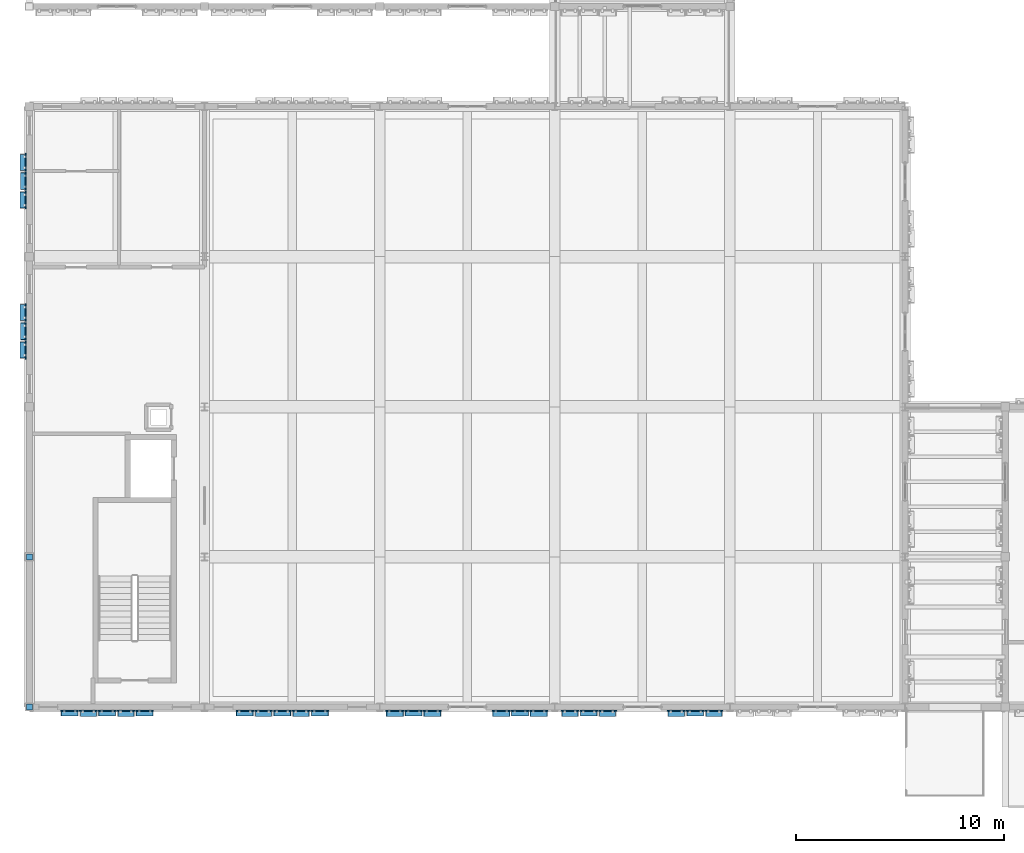
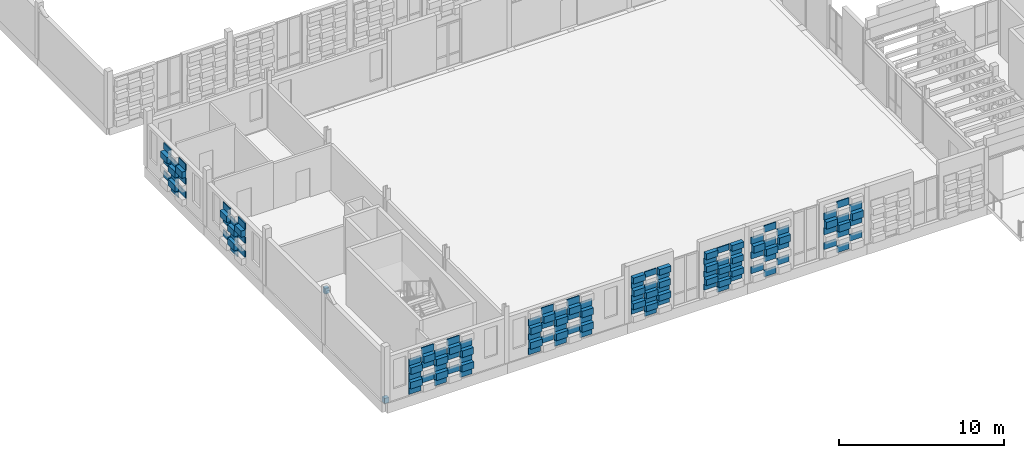
# One storey, part 55 of 99: 136 plates.
"""IFC4 building model written with IfcOpenShell, lengths in metres."""

from ifc_helpers import new_model, si_unit, direction, frame, origin, origin_2d, place, context, subcontext, project, spatial, rectangle, extrude, material, layer, layer_set, type_object, element, save


model = new_model("IFC4")

# Units and contexts
model_context = context("Model", 3, precision=1e-05, world=origin(), true_north=direction((0.0, 1.0)))
body_context = subcontext(model_context, "Body", "Model", "MODEL_VIEW")
ifc_project = project(units=[si_unit("LENGTHUNIT", "METRE"), si_unit("AREAUNIT", "SQUARE_METRE"), si_unit("VOLUMEUNIT", "CUBIC_METRE"), si_unit("PLANEANGLEUNIT", "RADIAN"), si_unit("MASSUNIT", "GRAM", prefix="KILO")], contexts=[model_context])

# Site, building, storey
site_placement = place(None, origin())
site = spatial("IfcSite", under=ifc_project, at=site_placement, CompositionType="ELEMENT")
building_placement = place(site_placement, origin())
building = spatial("IfcBuilding", under=site, at=building_placement, Name="Kahlenmark Community Centre", CompositionType="ELEMENT")
storey_placement = place(building_placement, frame((0.0, 0.0, 5.39990234375)))
storey = spatial("IfcBuildingStorey", under=building, at=storey_placement, Name="L01", CompositionType="ELEMENT", Elevation=5.39990234375)

# Plates
ifc_material_1 = material(Name="Extruded warm terracotta recessed weave tile", Category="masonry")
ifc_layer_1 = layer(ifc_material_1, 0.06005859375)
ifc_layer_set_1 = layer_set([ifc_layer_1], Name="Extruded warm terracotta recessed weave tile")
plate_type_1 = type_object("IfcPlateType", Name="PLT-TC-TC-R10-840X60X437", PredefinedType="SHEET", material=ifc_layer_set_1)
for number, where, z_axis, x_axis, name in (
    (1, (22.429931640625, 8.6201171875, 0.10009765625), (0.0, 0.0, 1.0), (1.0, 0.0, 0.0), "Basketweave terracotta cassette 0068"),
    (2, (22.429931640625, 8.6201171875, 1.05419921875), (0.0, 0.0, 1.0), (1.0, 0.0, 0.0), "Basketweave terracotta cassette 0070"),
    (3, (22.429931640625, 8.6201171875, 2.008056640625), (0.0, 0.0, 1.0), (1.0, 0.0, 0.0), "Basketweave terracotta cassette 0072"),
    (4, (22.429931640625, 8.6201171875, 2.962158203125), (0.0, 0.0, 1.0), (1.0, 0.0, 0.0), "Basketweave terracotta cassette 0074"),
    (5, (27.530029296875, 8.6201171875, 0.10009765625), (0.0, 0.0, 1.0), (1.0, 0.0, 0.0), "Basketweave terracotta cassette 0089"),
    (6, (27.530029296875, 8.6201171875, 1.05419921875), (0.0, 0.0, 1.0), (1.0, 0.0, 0.0), "Basketweave terracotta cassette 0091"),
    (7, (27.530029296875, 8.6201171875, 2.008056640625), (0.0, 0.0, 1.0), (1.0, 0.0, 0.0), "Basketweave terracotta cassette 0093"),
    (8, (27.530029296875, 8.6201171875, 2.962158203125), (0.0, 0.0, 1.0), (1.0, 0.0, 0.0), "Basketweave terracotta cassette 0095"),
):
    element("IfcPlate", number, at=place(storey_placement, frame(where, z_axis=z_axis, x_axis=x_axis)), inside=storey, type_object=plate_type_1, Name=name, PredefinedType="SHEET", context=body_context, shape_type="SweptSolid", body=[
        extrude(rectangle(XDim=0.840087890625, YDim=0.06005859375, at=origin_2d()), origin(), (0.0, 0.0, 1.0), 0.43701171875),
    ])
ifc_layer_2 = layer(ifc_material_1, 0.06005859375)
ifc_layer_set_2 = layer_set([ifc_layer_2], Name="Extruded warm terracotta recessed weave tile")
plate_type_2 = type_object("IfcPlateType", Name="PLT-TC-TC-R10-840X60X472", PredefinedType="SHEET", material=ifc_layer_set_2)
for number, where, z_axis, x_axis, name in (
    (9, (3.820068359375, 26.820068359375, 0.10009765625), (0.0, 0.0, 1.0), (0.0, -1.0, 0.0), "Basketweave terracotta cassette 0355"),
    (10, (3.820068359375, 26.820068359375, 1.1240234375), (0.0, 0.0, 1.0), (0.0, -1.0, 0.0), "Basketweave terracotta cassette 0357"),
    (11, (3.820068359375, 26.820068359375, 2.14794921875), (0.0, 0.0, 1.0), (0.0, -1.0, 0.0), "Basketweave terracotta cassette 0359"),
    (12, (3.820068359375, 34.02001953125, 0.10009765625), (0.0, 0.0, 1.0), (0.0, -1.0, 0.0), "Basketweave terracotta cassette 0373"),
    (13, (3.820068359375, 34.02001953125, 1.1240234375), (0.0, 0.0, 1.0), (0.0, -1.0, 0.0), "Basketweave terracotta cassette 0375"),
    (14, (3.820068359375, 34.02001953125, 2.14794921875), (0.0, 0.0, 1.0), (0.0, -1.0, 0.0), "Basketweave terracotta cassette 0377"),
):
    element("IfcPlate", number, at=place(storey_placement, frame(where, z_axis=z_axis, x_axis=x_axis)), inside=storey, type_object=plate_type_2, Name=name, PredefinedType="SHEET", context=body_context, shape_type="SweptSolid", body=[
        extrude(rectangle(XDim=0.840087890625, YDim=0.06005859375, at=origin_2d()), origin(), (0.0, 0.0, 1.0), 0.471923828125),
    ])
ifc_layer_3 = layer(ifc_material_1, 0.06005859375)
ifc_layer_set_3 = layer_set([ifc_layer_3], Name="Extruded warm terracotta recessed weave tile")
plate_type_3 = type_object("IfcPlateType", Name="PLT-TC-TC-R10-840X60X492", PredefinedType="SHEET", material=ifc_layer_set_3)
for number, where, z_axis, x_axis, name in (
    (15, (5.929931640625, 8.6201171875, 0.10009765625), (0.0, 0.0, 1.0), (1.0, 0.0, 0.0), "Basketweave terracotta cassette 0001"),
    (16, (5.929931640625, 8.6201171875, 1.1640625), (0.0, 0.0, 1.0), (1.0, 0.0, 0.0), "Basketweave terracotta cassette 0003"),
    (17, (5.929931640625, 8.6201171875, 2.22802734375), (0.0, 0.0, 1.0), (1.0, 0.0, 0.0), "Basketweave terracotta cassette 0005"),
    (18, (7.72998046875, 8.6201171875, 0.10009765625), (0.0, 0.0, 1.0), (1.0, 0.0, 0.0), "Basketweave terracotta cassette 0013"),
    (19, (7.72998046875, 8.6201171875, 1.1640625), (0.0, 0.0, 1.0), (1.0, 0.0, 0.0), "Basketweave terracotta cassette 0015"),
    (20, (7.72998046875, 8.6201171875, 2.22802734375), (0.0, 0.0, 1.0), (1.0, 0.0, 0.0), "Basketweave terracotta cassette 0017"),
    (21, (9.530029296875, 8.6201171875, 0.10009765625), (0.0, 0.0, 1.0), (1.0, 0.0, 0.0), "Basketweave terracotta cassette 0025"),
    (22, (9.530029296875, 8.6201171875, 1.1640625), (0.0, 0.0, 1.0), (1.0, 0.0, 0.0), "Basketweave terracotta cassette 0027"),
    (23, (9.530029296875, 8.6201171875, 2.22802734375), (0.0, 0.0, 1.0), (1.0, 0.0, 0.0), "Basketweave terracotta cassette 0029"),
    (24, (14.330078125, 8.6201171875, 0.10009765625), (0.0, 0.0, 1.0), (1.0, 0.0, 0.0), "Basketweave terracotta cassette 0031"),
    (25, (14.330078125, 8.6201171875, 1.1640625), (0.0, 0.0, 1.0), (1.0, 0.0, 0.0), "Basketweave terracotta cassette 0033"),
    (26, (14.330078125, 8.6201171875, 2.22802734375), (0.0, 0.0, 1.0), (1.0, 0.0, 0.0), "Basketweave terracotta cassette 0035"),
    (27, (16.1298828125, 8.6201171875, 0.10009765625), (0.0, 0.0, 1.0), (1.0, 0.0, 0.0), "Basketweave terracotta cassette 0043"),
    (28, (16.1298828125, 8.6201171875, 1.1640625), (0.0, 0.0, 1.0), (1.0, 0.0, 0.0), "Basketweave terracotta cassette 0045"),
    (29, (16.1298828125, 8.6201171875, 2.22802734375), (0.0, 0.0, 1.0), (1.0, 0.0, 0.0), "Basketweave terracotta cassette 0047"),
    (30, (17.929931640625, 8.6201171875, 0.10009765625), (0.0, 0.0, 1.0), (1.0, 0.0, 0.0), "Basketweave terracotta cassette 0055"),
    (31, (17.929931640625, 8.6201171875, 1.1640625), (0.0, 0.0, 1.0), (1.0, 0.0, 0.0), "Basketweave terracotta cassette 0057"),
    (32, (17.929931640625, 8.6201171875, 2.22802734375), (0.0, 0.0, 1.0), (1.0, 0.0, 0.0), "Basketweave terracotta cassette 0059"),
):
    element("IfcPlate", number, at=place(storey_placement, frame(where, z_axis=z_axis, x_axis=x_axis)), inside=storey, type_object=plate_type_3, Name=name, PredefinedType="SHEET", context=body_context, shape_type="SweptSolid", body=[
        extrude(rectangle(XDim=0.840087890625, YDim=0.06005859375, at=origin_2d()), origin(), (0.0, 0.0, 1.0), 0.491943359375),
    ])
ifc_layer_4 = layer(ifc_material_1, 0.06005859375)
ifc_layer_set_4 = layer_set([ifc_layer_4], Name="Extruded warm terracotta recessed weave tile")
plate_type_4 = type_object("IfcPlateType", Name="PLT-TC-TC-R10-840X60X506", PredefinedType="SHEET", material=ifc_layer_set_4)
for number, where, z_axis, x_axis, name in (
    (33, (30.830078125, 8.6201171875, 0.10009765625), (0.0, 0.0, 1.0), (1.0, 0.0, 0.0), "Basketweave terracotta cassette 0110"),
    (34, (30.830078125, 8.6201171875, 1.19189453125), (0.0, 0.0, 1.0), (1.0, 0.0, 0.0), "Basketweave terracotta cassette 0112"),
    (35, (30.830078125, 8.6201171875, 2.2841796875), (0.0, 0.0, 1.0), (1.0, 0.0, 0.0), "Basketweave terracotta cassette 0114"),
    (36, (30.830078125, 8.6201171875, 3.3759765625), (0.0, 0.0, 1.0), (1.0, 0.0, 0.0), "Basketweave terracotta cassette 0116"),
    (37, (35.929931640625, 8.6201171875, 0.10009765625), (0.0, 0.0, 1.0), (1.0, 0.0, 0.0), "Basketweave terracotta cassette 0131"),
    (38, (35.929931640625, 8.6201171875, 1.19189453125), (0.0, 0.0, 1.0), (1.0, 0.0, 0.0), "Basketweave terracotta cassette 0133"),
    (39, (35.929931640625, 8.6201171875, 2.2841796875), (0.0, 0.0, 1.0), (1.0, 0.0, 0.0), "Basketweave terracotta cassette 0135"),
    (40, (35.929931640625, 8.6201171875, 3.3759765625), (0.0, 0.0, 1.0), (1.0, 0.0, 0.0), "Basketweave terracotta cassette 0137"),
):
    element("IfcPlate", number, at=place(storey_placement, frame(where, z_axis=z_axis, x_axis=x_axis)), inside=storey, type_object=plate_type_4, Name=name, PredefinedType="SHEET", context=body_context, shape_type="SweptSolid", body=[
        extrude(rectangle(XDim=0.840087890625, YDim=0.06005859375, at=origin_2d()), origin(), (0.0, 0.0, 1.0), 0.506103515625),
    ])
ifc_layer_5 = layer(ifc_material_1, 0.06005859375)
ifc_layer_set_5 = layer_set([ifc_layer_5], Name="Extruded warm terracotta recessed weave tile")
plate_type_5 = type_object("IfcPlateType", Name="PLT-TC-TC-R10-860X60X437", PredefinedType="SHEET", material=ifc_layer_set_5)
for number, where, z_axis, x_axis, name in (
    (41, (21.530029296875, 8.6201171875, 0.5771484375), (0.0, 0.0, 1.0), (1.0, 0.0, 0.0), "Basketweave terracotta cassette 0062"),
    (42, (21.530029296875, 8.6201171875, 1.531005859375), (0.0, 0.0, 1.0), (1.0, 0.0, 0.0), "Basketweave terracotta cassette 0064"),
    (43, (21.530029296875, 8.6201171875, 2.485107421875), (0.0, 0.0, 1.0), (1.0, 0.0, 0.0), "Basketweave terracotta cassette 0066"),
    (44, (23.330078125, 8.6201171875, 0.5771484375), (0.0, 0.0, 1.0), (1.0, 0.0, 0.0), "Basketweave terracotta cassette 0076"),
    (45, (23.330078125, 8.6201171875, 1.531005859375), (0.0, 0.0, 1.0), (1.0, 0.0, 0.0), "Basketweave terracotta cassette 0078"),
    (46, (23.330078125, 8.6201171875, 2.485107421875), (0.0, 0.0, 1.0), (1.0, 0.0, 0.0), "Basketweave terracotta cassette 0080"),
    (47, (26.6298828125, 8.6201171875, 0.5771484375), (0.0, 0.0, 1.0), (1.0, 0.0, 0.0), "Basketweave terracotta cassette 0083"),
    (48, (26.6298828125, 8.6201171875, 1.531005859375), (0.0, 0.0, 1.0), (1.0, 0.0, 0.0), "Basketweave terracotta cassette 0085"),
    (49, (26.6298828125, 8.6201171875, 2.485107421875), (0.0, 0.0, 1.0), (1.0, 0.0, 0.0), "Basketweave terracotta cassette 0087"),
    (50, (28.429931640625, 8.6201171875, 0.5771484375), (0.0, 0.0, 1.0), (1.0, 0.0, 0.0), "Basketweave terracotta cassette 0097"),
    (51, (28.429931640625, 8.6201171875, 1.531005859375), (0.0, 0.0, 1.0), (1.0, 0.0, 0.0), "Basketweave terracotta cassette 0099"),
    (52, (28.429931640625, 8.6201171875, 2.485107421875), (0.0, 0.0, 1.0), (1.0, 0.0, 0.0), "Basketweave terracotta cassette 0101"),
):
    element("IfcPlate", number, at=place(storey_placement, frame(where, z_axis=z_axis, x_axis=x_axis)), inside=storey, type_object=plate_type_5, Name=name, PredefinedType="SHEET", context=body_context, shape_type="SweptSolid", body=[
        extrude(rectangle(XDim=0.860107421875, YDim=0.06005859375, at=origin_2d()), origin(), (0.0, 0.0, 1.0), 0.43701171875),
    ])
ifc_layer_6 = layer(ifc_material_1, 0.06005859375)
ifc_layer_set_6 = layer_set([ifc_layer_6], Name="Extruded warm terracotta recessed weave tile")
plate_type_6 = type_object("IfcPlateType", Name="PLT-TC-TC-R10-860X60X472", PredefinedType="SHEET", material=ifc_layer_set_6)
for number, where, z_axis, x_axis, name in (
    (53, (3.820068359375, 27.719970703125, 0.6123046875), (0.0, 0.0, 1.0), (0.0, -1.0, 0.0), "Basketweave terracotta cassette 0350"),
    (54, (3.820068359375, 27.719970703125, 1.63623046875), (0.0, 0.0, 1.0), (0.0, -1.0, 0.0), "Basketweave terracotta cassette 0352"),
    (55, (3.820068359375, 27.719970703125, 2.66015625), (0.0, 0.0, 1.0), (0.0, -1.0, 0.0), "Basketweave terracotta cassette 0354"),
    (56, (3.820068359375, 25.919921875, 0.6123046875), (0.0, 0.0, 1.0), (0.0, -1.0, 0.0), "Basketweave terracotta cassette 0362"),
    (57, (3.820068359375, 25.919921875, 1.63623046875), (0.0, 0.0, 1.0), (0.0, -1.0, 0.0), "Basketweave terracotta cassette 0364"),
    (58, (3.820068359375, 25.919921875, 2.66015625), (0.0, 0.0, 1.0), (0.0, -1.0, 0.0), "Basketweave terracotta cassette 0366"),
    (59, (3.820068359375, 34.919921875, 0.6123046875), (0.0, 0.0, 1.0), (0.0, -1.0, 0.0), "Basketweave terracotta cassette 0368"),
    (60, (3.820068359375, 34.919921875, 1.63623046875), (0.0, 0.0, 1.0), (0.0, -1.0, 0.0), "Basketweave terracotta cassette 0370"),
    (61, (3.820068359375, 34.919921875, 2.66015625), (0.0, 0.0, 1.0), (0.0, -1.0, 0.0), "Basketweave terracotta cassette 0372"),
    (62, (3.820068359375, 33.1201171875, 0.6123046875), (0.0, 0.0, 1.0), (0.0, -1.0, 0.0), "Basketweave terracotta cassette 0380"),
    (63, (3.820068359375, 33.1201171875, 1.63623046875), (0.0, 0.0, 1.0), (0.0, -1.0, 0.0), "Basketweave terracotta cassette 0382"),
    (64, (3.820068359375, 33.1201171875, 2.66015625), (0.0, 0.0, 1.0), (0.0, -1.0, 0.0), "Basketweave terracotta cassette 0384"),
):
    element("IfcPlate", number, at=place(storey_placement, frame(where, z_axis=z_axis, x_axis=x_axis)), inside=storey, type_object=plate_type_6, Name=name, PredefinedType="SHEET", context=body_context, shape_type="SweptSolid", body=[
        extrude(rectangle(XDim=0.860107421875, YDim=0.06005859375, at=origin_2d()), origin(), (0.0, 0.0, 1.0), 0.471923828125),
    ])
ifc_layer_7 = layer(ifc_material_1, 0.06005859375)
ifc_layer_set_7 = layer_set([ifc_layer_7], Name="Extruded warm terracotta recessed weave tile")
plate_type_7 = type_object("IfcPlateType", Name="PLT-TC-TC-R10-860X60X492", PredefinedType="SHEET", material=ifc_layer_set_7)
for number, where, z_axis, x_axis, name in (
    (65, (6.830078125, 8.6201171875, 0.63232421875), (0.0, 0.0, 1.0), (1.0, 0.0, 0.0), "Basketweave terracotta cassette 0008"),
    (66, (6.830078125, 8.6201171875, 1.6962890625), (0.0, 0.0, 1.0), (1.0, 0.0, 0.0), "Basketweave terracotta cassette 0010"),
    (67, (6.830078125, 8.6201171875, 2.76025390625), (0.0, 0.0, 1.0), (1.0, 0.0, 0.0), "Basketweave terracotta cassette 0012"),
    (68, (8.6298828125, 8.6201171875, 0.63232421875), (0.0, 0.0, 1.0), (1.0, 0.0, 0.0), "Basketweave terracotta cassette 0020"),
    (69, (8.6298828125, 8.6201171875, 1.6962890625), (0.0, 0.0, 1.0), (1.0, 0.0, 0.0), "Basketweave terracotta cassette 0022"),
    (70, (8.6298828125, 8.6201171875, 2.76025390625), (0.0, 0.0, 1.0), (1.0, 0.0, 0.0), "Basketweave terracotta cassette 0024"),
    (71, (15.22998046875, 8.6201171875, 0.63232421875), (0.0, 0.0, 1.0), (1.0, 0.0, 0.0), "Basketweave terracotta cassette 0038"),
    (72, (15.22998046875, 8.6201171875, 1.6962890625), (0.0, 0.0, 1.0), (1.0, 0.0, 0.0), "Basketweave terracotta cassette 0040"),
    (73, (15.22998046875, 8.6201171875, 2.76025390625), (0.0, 0.0, 1.0), (1.0, 0.0, 0.0), "Basketweave terracotta cassette 0042"),
    (74, (17.030029296875, 8.6201171875, 0.63232421875), (0.0, 0.0, 1.0), (1.0, 0.0, 0.0), "Basketweave terracotta cassette 0050"),
    (75, (17.030029296875, 8.6201171875, 1.6962890625), (0.0, 0.0, 1.0), (1.0, 0.0, 0.0), "Basketweave terracotta cassette 0052"),
    (76, (17.030029296875, 8.6201171875, 2.76025390625), (0.0, 0.0, 1.0), (1.0, 0.0, 0.0), "Basketweave terracotta cassette 0054"),
):
    element("IfcPlate", number, at=place(storey_placement, frame(where, z_axis=z_axis, x_axis=x_axis)), inside=storey, type_object=plate_type_7, Name=name, PredefinedType="SHEET", context=body_context, shape_type="SweptSolid", body=[
        extrude(rectangle(XDim=0.860107421875, YDim=0.06005859375, at=origin_2d()), origin(), (0.0, 0.0, 1.0), 0.491943359375),
    ])
ifc_layer_8 = layer(ifc_material_1, 0.06005859375)
ifc_layer_set_8 = layer_set([ifc_layer_8], Name="Extruded warm terracotta recessed weave tile")
plate_type_8 = type_object("IfcPlateType", Name="PLT-TC-TC-R10-860X60X506", PredefinedType="SHEET", material=ifc_layer_set_8)
for number, where, z_axis, x_axis, name in (
    (77, (29.929931640625, 8.6201171875, 0.64599609375), (0.0, 0.0, 1.0), (1.0, 0.0, 0.0), "Basketweave terracotta cassette 0104"),
    (78, (29.929931640625, 8.6201171875, 1.73828125), (0.0, 0.0, 1.0), (1.0, 0.0, 0.0), "Basketweave terracotta cassette 0106"),
    (79, (29.929931640625, 8.6201171875, 2.830078125), (0.0, 0.0, 1.0), (1.0, 0.0, 0.0), "Basketweave terracotta cassette 0108"),
    (80, (31.72998046875, 8.6201171875, 0.64599609375), (0.0, 0.0, 1.0), (1.0, 0.0, 0.0), "Basketweave terracotta cassette 0118"),
    (81, (31.72998046875, 8.6201171875, 1.73828125), (0.0, 0.0, 1.0), (1.0, 0.0, 0.0), "Basketweave terracotta cassette 0120"),
    (82, (31.72998046875, 8.6201171875, 2.830078125), (0.0, 0.0, 1.0), (1.0, 0.0, 0.0), "Basketweave terracotta cassette 0122"),
    (83, (35.030029296875, 8.6201171875, 0.64599609375), (0.0, 0.0, 1.0), (1.0, 0.0, 0.0), "Basketweave terracotta cassette 0125"),
    (84, (35.030029296875, 8.6201171875, 1.73828125), (0.0, 0.0, 1.0), (1.0, 0.0, 0.0), "Basketweave terracotta cassette 0127"),
    (85, (35.030029296875, 8.6201171875, 2.830078125), (0.0, 0.0, 1.0), (1.0, 0.0, 0.0), "Basketweave terracotta cassette 0129"),
    (86, (36.830078125, 8.6201171875, 0.64599609375), (0.0, 0.0, 1.0), (1.0, 0.0, 0.0), "Basketweave terracotta cassette 0139"),
    (87, (36.830078125, 8.6201171875, 1.73828125), (0.0, 0.0, 1.0), (1.0, 0.0, 0.0), "Basketweave terracotta cassette 0141"),
    (88, (36.830078125, 8.6201171875, 2.830078125), (0.0, 0.0, 1.0), (1.0, 0.0, 0.0), "Basketweave terracotta cassette 0143"),
):
    element("IfcPlate", number, at=place(storey_placement, frame(where, z_axis=z_axis, x_axis=x_axis)), inside=storey, type_object=plate_type_8, Name=name, PredefinedType="SHEET", context=body_context, shape_type="SweptSolid", body=[
        extrude(rectangle(XDim=0.860107421875, YDim=0.06005859375, at=origin_2d()), origin(), (0.0, 0.0, 1.0), 0.506103515625),
    ])
ifc_material_2 = material(Name="Extruded glazed terracotta weave cassette", Category="masonry")
ifc_layer_9 = layer(ifc_material_2, 0.300048828125)
ifc_layer_set_9 = layer_set([ifc_layer_9], Name="Extruded glazed terracotta weave cassette")
plate_type_9 = type_object("IfcPlateType", Name="PLT-TC-TC-R34-780X300X437", PredefinedType="SHEET", material=ifc_layer_set_9)
for number, where, z_axis, x_axis, name in (
    (89, (21.530029296875, 8.5, 2.008056640625), (0.0, 0.0, 1.0), (1.0, 0.0, 0.0), "Basketweave terracotta cassette 0065"),
    (90, (23.330078125, 8.5, 2.008056640625), (0.0, 0.0, 1.0), (1.0, 0.0, 0.0), "Basketweave terracotta cassette 0079"),
    (91, (26.6298828125, 8.5, 2.008056640625), (0.0, 0.0, 1.0), (1.0, 0.0, 0.0), "Basketweave terracotta cassette 0086"),
    (92, (28.429931640625, 8.5, 2.008056640625), (0.0, 0.0, 1.0), (1.0, 0.0, 0.0), "Basketweave terracotta cassette 0100"),
):
    element("IfcPlate", number, at=place(storey_placement, frame(where, z_axis=z_axis, x_axis=x_axis)), inside=storey, type_object=plate_type_9, Name=name, PredefinedType="SHEET", context=body_context, shape_type="SweptSolid", body=[
        extrude(rectangle(XDim=0.780029296875, YDim=0.300048828125, at=origin_2d()), origin(), (0.0, 0.0, 1.0), 0.43701171875),
    ])
ifc_layer_10 = layer(ifc_material_2, 0.300048828125)
ifc_layer_set_10 = layer_set([ifc_layer_10], Name="Extruded glazed terracotta weave cassette")
plate_type_10 = type_object("IfcPlateType", Name="PLT-TC-TC-R34-780X300X472", PredefinedType="SHEET", material=ifc_layer_set_10)
for number, where, z_axis, x_axis, name in (
    (93, (3.699951171875, 27.719970703125, 2.14794921875), (0.0, 0.0, 1.0), (0.0, -1.0, 0.0), "Basketweave terracotta cassette 0353"),
    (94, (3.699951171875, 25.919921875, 2.14794921875), (0.0, 0.0, 1.0), (0.0, -1.0, 0.0), "Basketweave terracotta cassette 0365"),
    (95, (3.699951171875, 34.919921875, 2.14794921875), (0.0, 0.0, 1.0), (0.0, -1.0, 0.0), "Basketweave terracotta cassette 0371"),
    (96, (3.699951171875, 33.1201171875, 2.14794921875), (0.0, 0.0, 1.0), (0.0, -1.0, 0.0), "Basketweave terracotta cassette 0383"),
):
    element("IfcPlate", number, at=place(storey_placement, frame(where, z_axis=z_axis, x_axis=x_axis)), inside=storey, type_object=plate_type_10, Name=name, PredefinedType="SHEET", context=body_context, shape_type="SweptSolid", body=[
        extrude(rectangle(XDim=0.780029296875, YDim=0.300048828125, at=origin_2d()), origin(), (0.0, 0.0, 1.0), 0.471923828125),
    ])
ifc_layer_11 = layer(ifc_material_2, 0.300048828125)
ifc_layer_set_11 = layer_set([ifc_layer_11], Name="Extruded glazed terracotta weave cassette")
plate_type_11 = type_object("IfcPlateType", Name="PLT-TC-TC-R34-780X300X492", PredefinedType="SHEET", material=ifc_layer_set_11)
for number, where, z_axis, x_axis, name in (
    (97, (6.830078125, 8.5, 2.22802734375), (0.0, 0.0, 1.0), (1.0, 0.0, 0.0), "Basketweave terracotta cassette 0011"),
    (98, (8.6298828125, 8.5, 2.22802734375), (0.0, 0.0, 1.0), (1.0, 0.0, 0.0), "Basketweave terracotta cassette 0023"),
    (99, (15.22998046875, 8.5, 2.22802734375), (0.0, 0.0, 1.0), (1.0, 0.0, 0.0), "Basketweave terracotta cassette 0041"),
    (100, (17.030029296875, 8.5, 2.22802734375), (0.0, 0.0, 1.0), (1.0, 0.0, 0.0), "Basketweave terracotta cassette 0053"),
):
    element("IfcPlate", number, at=place(storey_placement, frame(where, z_axis=z_axis, x_axis=x_axis)), inside=storey, type_object=plate_type_11, Name=name, PredefinedType="SHEET", context=body_context, shape_type="SweptSolid", body=[
        extrude(rectangle(XDim=0.780029296875, YDim=0.300048828125, at=origin_2d()), origin(), (0.0, 0.0, 1.0), 0.491943359375),
    ])
ifc_layer_12 = layer(ifc_material_2, 0.300048828125)
ifc_layer_set_12 = layer_set([ifc_layer_12], Name="Extruded glazed terracotta weave cassette")
plate_type_12 = type_object("IfcPlateType", Name="PLT-TC-TC-R34-780X300X506", PredefinedType="SHEET", material=ifc_layer_set_12)
for number, where, z_axis, x_axis, name in (
    (101, (29.929931640625, 8.5, 2.2841796875), (0.0, 0.0, 1.0), (1.0, 0.0, 0.0), "Basketweave terracotta cassette 0107"),
    (102, (31.72998046875, 8.5, 2.2841796875), (0.0, 0.0, 1.0), (1.0, 0.0, 0.0), "Basketweave terracotta cassette 0121"),
    (103, (35.030029296875, 8.5, 2.2841796875), (0.0, 0.0, 1.0), (1.0, 0.0, 0.0), "Basketweave terracotta cassette 0128"),
    (104, (36.830078125, 8.5, 2.2841796875), (0.0, 0.0, 1.0), (1.0, 0.0, 0.0), "Basketweave terracotta cassette 0142"),
):
    element("IfcPlate", number, at=place(storey_placement, frame(where, z_axis=z_axis, x_axis=x_axis)), inside=storey, type_object=plate_type_12, Name=name, PredefinedType="SHEET", context=body_context, shape_type="SweptSolid", body=[
        extrude(rectangle(XDim=0.780029296875, YDim=0.300048828125, at=origin_2d()), origin(), (0.0, 0.0, 1.0), 0.506103515625),
    ])
ifc_layer_13 = layer(ifc_material_2, 0.300048828125)
ifc_layer_set_13 = layer_set([ifc_layer_13], Name="Extruded glazed terracotta weave cassette")
plate_type_13 = type_object("IfcPlateType", Name="PLT-TC-TC-R34-820X300X437", PredefinedType="SHEET", material=ifc_layer_set_13)
for number, where, z_axis, x_axis, name in (
    (105, (21.530029296875, 8.5, 2.962158203125), (0.0, 0.0, 1.0), (1.0, 0.0, 0.0), "Basketweave terracotta cassette 0067"),
    (106, (23.330078125, 8.5, 2.962158203125), (0.0, 0.0, 1.0), (1.0, 0.0, 0.0), "Basketweave terracotta cassette 0081"),
    (107, (26.6298828125, 8.5, 2.962158203125), (0.0, 0.0, 1.0), (1.0, 0.0, 0.0), "Basketweave terracotta cassette 0088"),
    (108, (28.429931640625, 8.5, 2.962158203125), (0.0, 0.0, 1.0), (1.0, 0.0, 0.0), "Basketweave terracotta cassette 0102"),
):
    element("IfcPlate", number, at=place(storey_placement, frame(where, z_axis=z_axis, x_axis=x_axis)), inside=storey, type_object=plate_type_13, Name=name, PredefinedType="SHEET", context=body_context, shape_type="SweptSolid", body=[
        extrude(rectangle(XDim=0.820068359375, YDim=0.300048828125, at=origin_2d()), origin(), (0.0, 0.0, 1.0), 0.43701171875),
    ])
ifc_layer_14 = layer(ifc_material_2, 0.300048828125)
ifc_layer_set_14 = layer_set([ifc_layer_14], Name="Extruded glazed terracotta weave cassette")
plate_type_14 = type_object("IfcPlateType", Name="PLT-TC-TC-R34-840X300X437", PredefinedType="SHEET", material=ifc_layer_set_14)
for number, where, z_axis, x_axis, name in (
    (109, (21.530029296875, 8.5, 1.05419921875), (0.0, 0.0, 1.0), (1.0, 0.0, 0.0), "Basketweave terracotta cassette 0063"),
    (110, (23.330078125, 8.5, 1.05419921875), (0.0, 0.0, 1.0), (1.0, 0.0, 0.0), "Basketweave terracotta cassette 0077"),
    (111, (26.6298828125, 8.5, 1.05419921875), (0.0, 0.0, 1.0), (1.0, 0.0, 0.0), "Basketweave terracotta cassette 0084"),
    (112, (28.429931640625, 8.5, 1.05419921875), (0.0, 0.0, 1.0), (1.0, 0.0, 0.0), "Basketweave terracotta cassette 0098"),
):
    element("IfcPlate", number, at=place(storey_placement, frame(where, z_axis=z_axis, x_axis=x_axis)), inside=storey, type_object=plate_type_14, Name=name, PredefinedType="SHEET", context=body_context, shape_type="SweptSolid", body=[
        extrude(rectangle(XDim=0.840087890625, YDim=0.300048828125, at=origin_2d()), origin(), (0.0, 0.0, 1.0), 0.43701171875),
    ])
ifc_layer_15 = layer(ifc_material_2, 0.280029296875)
ifc_layer_set_15 = layer_set([ifc_layer_15], Name="Extruded glazed terracotta weave cassette")
plate_type_15 = type_object("IfcPlateType", Name="PLT-TC-TC-W30-800X280X437", PredefinedType="SHEET", material=ifc_layer_set_15)
for number, where, z_axis, x_axis, name in (
    (113, (22.429931640625, 8.510009765625, 1.531005859375), (0.0, 0.0, 1.0), (1.0, 0.0, 0.0), "Basketweave terracotta cassette 0071"),
    (114, (27.530029296875, 8.510009765625, 1.531005859375), (0.0, 0.0, 1.0), (1.0, 0.0, 0.0), "Basketweave terracotta cassette 0092"),
):
    element("IfcPlate", number, at=place(storey_placement, frame(where, z_axis=z_axis, x_axis=x_axis)), inside=storey, type_object=plate_type_15, Name=name, PredefinedType="SHEET", context=body_context, shape_type="SweptSolid", body=[
        extrude(rectangle(XDim=0.800048828125, YDim=0.280029296875, at=origin_2d()), origin(), (0.0, 0.0, 1.0), 0.43701171875),
    ])
ifc_layer_16 = layer(ifc_material_2, 0.280029296875)
ifc_layer_set_16 = layer_set([ifc_layer_16], Name="Extruded glazed terracotta weave cassette")
plate_type_16 = type_object("IfcPlateType", Name="PLT-TC-TC-W30-800X280X472", PredefinedType="SHEET", material=ifc_layer_set_16)
for number, where, z_axis, x_axis, name in (
    (115, (3.7099609375, 26.820068359375, 1.63623046875), (0.0, 0.0, 1.0), (0.0, -1.0, 0.0), "Basketweave terracotta cassette 0358"),
    (116, (3.7099609375, 34.02001953125, 1.63623046875), (0.0, 0.0, 1.0), (0.0, -1.0, 0.0), "Basketweave terracotta cassette 0376"),
):
    element("IfcPlate", number, at=place(storey_placement, frame(where, z_axis=z_axis, x_axis=x_axis)), inside=storey, type_object=plate_type_16, Name=name, PredefinedType="SHEET", context=body_context, shape_type="SweptSolid", body=[
        extrude(rectangle(XDim=0.800048828125, YDim=0.280029296875, at=origin_2d()), origin(), (0.0, 0.0, 1.0), 0.471923828125),
    ])
ifc_layer_17 = layer(ifc_material_2, 0.280029296875)
ifc_layer_set_17 = layer_set([ifc_layer_17], Name="Extruded glazed terracotta weave cassette")
plate_type_17 = type_object("IfcPlateType", Name="PLT-TC-TC-W30-800X280X492", PredefinedType="SHEET", material=ifc_layer_set_17)
for number, where, z_axis, x_axis, name in (
    (117, (5.929931640625, 8.510009765625, 1.6962890625), (0.0, 0.0, 1.0), (1.0, 0.0, 0.0), "Basketweave terracotta cassette 0004"),
    (118, (7.72998046875, 8.510009765625, 1.6962890625), (0.0, 0.0, 1.0), (1.0, 0.0, 0.0), "Basketweave terracotta cassette 0016"),
    (119, (9.530029296875, 8.510009765625, 1.6962890625), (0.0, 0.0, 1.0), (1.0, 0.0, 0.0), "Basketweave terracotta cassette 0028"),
    (120, (14.330078125, 8.510009765625, 1.6962890625), (0.0, 0.0, 1.0), (1.0, 0.0, 0.0), "Basketweave terracotta cassette 0034"),
    (121, (16.1298828125, 8.510009765625, 1.6962890625), (0.0, 0.0, 1.0), (1.0, 0.0, 0.0), "Basketweave terracotta cassette 0046"),
    (122, (17.929931640625, 8.510009765625, 1.6962890625), (0.0, 0.0, 1.0), (1.0, 0.0, 0.0), "Basketweave terracotta cassette 0058"),
):
    element("IfcPlate", number, at=place(storey_placement, frame(where, z_axis=z_axis, x_axis=x_axis)), inside=storey, type_object=plate_type_17, Name=name, PredefinedType="SHEET", context=body_context, shape_type="SweptSolid", body=[
        extrude(rectangle(XDim=0.800048828125, YDim=0.280029296875, at=origin_2d()), origin(), (0.0, 0.0, 1.0), 0.491943359375),
    ])
ifc_layer_18 = layer(ifc_material_2, 0.280029296875)
ifc_layer_set_18 = layer_set([ifc_layer_18], Name="Extruded glazed terracotta weave cassette")
plate_type_18 = type_object("IfcPlateType", Name="PLT-TC-TC-W30-800X280X506", PredefinedType="SHEET", material=ifc_layer_set_18)
for number, where, z_axis, x_axis, name in (
    (123, (30.830078125, 8.510009765625, 1.73828125), (0.0, 0.0, 1.0), (1.0, 0.0, 0.0), "Basketweave terracotta cassette 0113"),
    (124, (35.929931640625, 8.510009765625, 1.73828125), (0.0, 0.0, 1.0), (1.0, 0.0, 0.0), "Basketweave terracotta cassette 0134"),
):
    element("IfcPlate", number, at=place(storey_placement, frame(where, z_axis=z_axis, x_axis=x_axis)), inside=storey, type_object=plate_type_18, Name=name, PredefinedType="SHEET", context=body_context, shape_type="SweptSolid", body=[
        extrude(rectangle(XDim=0.800048828125, YDim=0.280029296875, at=origin_2d()), origin(), (0.0, 0.0, 1.0), 0.506103515625),
    ])
ifc_layer_19 = layer(ifc_material_2, 0.280029296875)
ifc_layer_set_19 = layer_set([ifc_layer_19], Name="Extruded glazed terracotta weave cassette")
plate_type_19 = type_object("IfcPlateType", Name="PLT-TC-TC-W30-820X280X437", PredefinedType="SHEET", material=ifc_layer_set_19)
for number, where, z_axis, x_axis, name in (
    (125, (22.429931640625, 8.510009765625, 0.5771484375), (0.0, 0.0, 1.0), (1.0, 0.0, 0.0), "Basketweave terracotta cassette 0069"),
    (126, (27.530029296875, 8.510009765625, 0.5771484375), (0.0, 0.0, 1.0), (1.0, 0.0, 0.0), "Basketweave terracotta cassette 0090"),
):
    element("IfcPlate", number, at=place(storey_placement, frame(where, z_axis=z_axis, x_axis=x_axis)), inside=storey, type_object=plate_type_19, Name=name, PredefinedType="SHEET", context=body_context, shape_type="SweptSolid", body=[
        extrude(rectangle(XDim=0.820068359375, YDim=0.280029296875, at=origin_2d()), origin(), (0.0, 0.0, 1.0), 0.43701171875),
    ])
ifc_layer_20 = layer(ifc_material_2, 0.280029296875)
ifc_layer_set_20 = layer_set([ifc_layer_20], Name="Extruded glazed terracotta weave cassette")
plate_type_20 = type_object("IfcPlateType", Name="PLT-TC-TC-W30-820X280X472", PredefinedType="SHEET", material=ifc_layer_set_20)
for number, where, z_axis, x_axis, name in (
    (127, (3.7099609375, 26.820068359375, 0.6123046875), (0.0, 0.0, 1.0), (0.0, -1.0, 0.0), "Basketweave terracotta cassette 0356"),
    (128, (3.7099609375, 34.02001953125, 0.6123046875), (0.0, 0.0, 1.0), (0.0, -1.0, 0.0), "Basketweave terracotta cassette 0374"),
):
    element("IfcPlate", number, at=place(storey_placement, frame(where, z_axis=z_axis, x_axis=x_axis)), inside=storey, type_object=plate_type_20, Name=name, PredefinedType="SHEET", context=body_context, shape_type="SweptSolid", body=[
        extrude(rectangle(XDim=0.820068359375, YDim=0.280029296875, at=origin_2d()), origin(), (0.0, 0.0, 1.0), 0.471923828125),
    ])
ifc_layer_21 = layer(ifc_material_2, 0.280029296875)
ifc_layer_set_21 = layer_set([ifc_layer_21], Name="Extruded glazed terracotta weave cassette")
plate_type_21 = type_object("IfcPlateType", Name="PLT-TC-TC-W30-820X280X492", PredefinedType="SHEET", material=ifc_layer_set_21)
for number, where, z_axis, x_axis, name in (
    (129, (5.929931640625, 8.510009765625, 0.63232421875), (0.0, 0.0, 1.0), (1.0, 0.0, 0.0), "Basketweave terracotta cassette 0002"),
    (130, (7.72998046875, 8.510009765625, 0.63232421875), (0.0, 0.0, 1.0), (1.0, 0.0, 0.0), "Basketweave terracotta cassette 0014"),
    (131, (9.530029296875, 8.510009765625, 0.63232421875), (0.0, 0.0, 1.0), (1.0, 0.0, 0.0), "Basketweave terracotta cassette 0026"),
    (132, (14.330078125, 8.510009765625, 0.63232421875), (0.0, 0.0, 1.0), (1.0, 0.0, 0.0), "Basketweave terracotta cassette 0032"),
    (133, (16.1298828125, 8.510009765625, 0.63232421875), (0.0, 0.0, 1.0), (1.0, 0.0, 0.0), "Basketweave terracotta cassette 0044"),
    (134, (17.929931640625, 8.510009765625, 0.63232421875), (0.0, 0.0, 1.0), (1.0, 0.0, 0.0), "Basketweave terracotta cassette 0056"),
):
    element("IfcPlate", number, at=place(storey_placement, frame(where, z_axis=z_axis, x_axis=x_axis)), inside=storey, type_object=plate_type_21, Name=name, PredefinedType="SHEET", context=body_context, shape_type="SweptSolid", body=[
        extrude(rectangle(XDim=0.820068359375, YDim=0.280029296875, at=origin_2d()), origin(), (0.0, 0.0, 1.0), 0.491943359375),
    ])
ifc_material_3 = material(Name="Steel S355", Category="steel")
ifc_layer_22 = layer(ifc_material_3, 0.02392578125)
ifc_layer_set_22 = layer_set([ifc_layer_22], Name="Steel S355")
plate_type_22 = type_object("IfcPlateType", Name="PT-NODE-BN-01-30X30X38", PredefinedType="USERDEFINED", material=ifc_layer_set_22)
for number, where, z_axis, x_axis, name in (
    (135, (4.0, 8.800048828125, -0.039794921875), (0.0, 0.0, 1.0), (1.0, 0.0, 0.0), "Steel hollow-node cap plate 0349"),
    (136, (4.0, 16.0, 3.710205078125), (0.0, 0.0, 1.0), (1.0, 0.0, 0.0), "Steel hollow-node cap plate 0350"),
):
    element("IfcPlate", number, at=place(storey_placement, frame(where, z_axis=z_axis, x_axis=x_axis)), inside=storey, type_object=plate_type_22, Name=name, ObjectType="STIFFENER_PLATE", PredefinedType="USERDEFINED", context=body_context, shape_type="SweptSolid", body=[
        extrude(rectangle(XDim=0.300048828125, YDim=0.300048828125, at=origin_2d()), origin(), (0.0, 0.0, 1.0), 0.3798828125),
    ])

save(model, "model.ifc")
